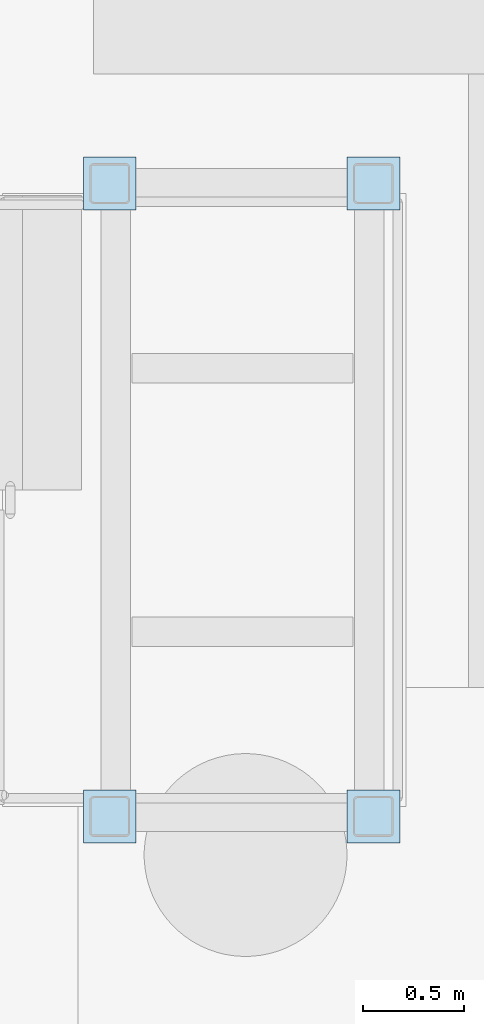
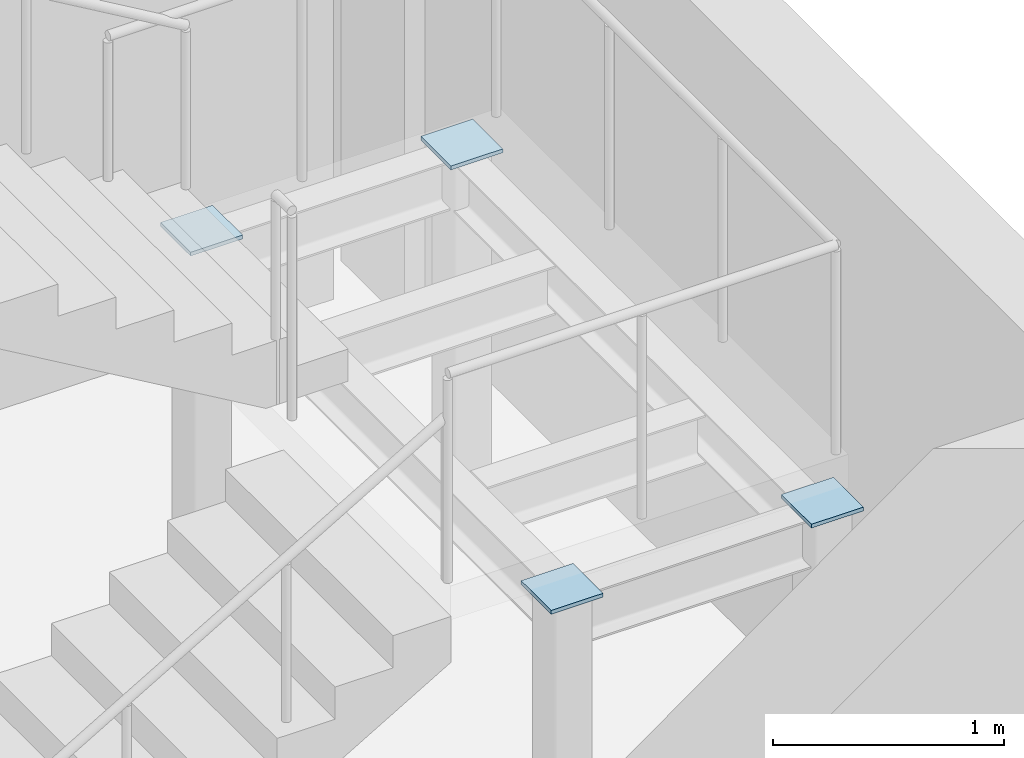
# One storey, part 37 of 58: 4 plates.
"""IFC4 building model written with IfcOpenShell, lengths in metres."""

from ifc_helpers import new_model, si_unit, direction, frame, origin, origin_2d, place, context, subcontext, project, spatial, rectangle, extrude, material, layer, layer_set, type_object, element, save


model = new_model("IFC4")

# Units and contexts
model_context = context("Model", 3, precision=1e-05, world=origin(), true_north=direction((0.0, 1.0)))
body_context = subcontext(model_context, "Body", "Model", "MODEL_VIEW")
ifc_project = project(units=[si_unit("LENGTHUNIT", "METRE"), si_unit("AREAUNIT", "SQUARE_METRE"), si_unit("VOLUMEUNIT", "CUBIC_METRE"), si_unit("PLANEANGLEUNIT", "RADIAN"), si_unit("MASSUNIT", "GRAM", prefix="KILO")], contexts=[model_context])

# Site, building, storey
site_placement = place(None, origin())
site = spatial("IfcSite", under=ifc_project, at=site_placement, CompositionType="ELEMENT")
building_placement = place(site_placement, origin())
building = spatial("IfcBuilding", under=site, at=building_placement, Name="Caldaven Crescent School", CompositionType="ELEMENT")
storey_placement = place(building_placement, frame((0.0, 0.0, -4.080078125)))
storey = spatial("IfcBuildingStorey", under=building, at=storey_placement, Name="B1", CompositionType="ELEMENT", Elevation=-4.080078125)

# Plates
ifc_material = material(Name="Steel ASTM A572 Grade 50", Category="steel")
ifc_layer = layer(ifc_material, 0.02001953125)
ifc_layer_set = layer_set([ifc_layer], Name="Steel ASTM A572 Grade 50")
plate_type = type_object("IfcPlateType", Name="PLT-CAP20", PredefinedType="USERDEFINED", material=ifc_layer_set)
for number, where, z_axis, x_axis, name in (
    (1, (148.47998046875, 5.739990234375, 1.860107421875), (0.0, 0.0, 1.0), (1.0, 0.0, 0.0), "CAP-STPOST-STB4-B1-A"),
    (2, (148.47998046875, 8.860107421875, 1.860107421875), (0.0, 0.0, 1.0), (1.0, 0.0, 0.0), "CAP-STPOST-STB4-B1-B"),
    (3, (149.780029296875, 5.739990234375, 1.860107421875), (0.0, 0.0, 1.0), (1.0, 0.0, 0.0), "CAP-STPOST-STB4-B1-C"),
    (4, (149.780029296875, 8.860107421875, 1.860107421875), (0.0, 0.0, 1.0), (1.0, 0.0, 0.0), "CAP-STPOST-STB4-B1-D"),
):
    element("IfcPlate", number, at=place(storey_placement, frame(where, z_axis=z_axis, x_axis=x_axis)), inside=storey, type_object=plate_type, Name=name, ObjectType="CAP_PLATE", PredefinedType="USERDEFINED", context=body_context, shape_type="SweptSolid", body=[
        extrude(rectangle(XDim=0.260009765625, YDim=0.260009765625, at=origin_2d()), origin(), (0.0, 0.0, 1.0), 0.02001953125),
    ])

save(model, "model.ifc")
